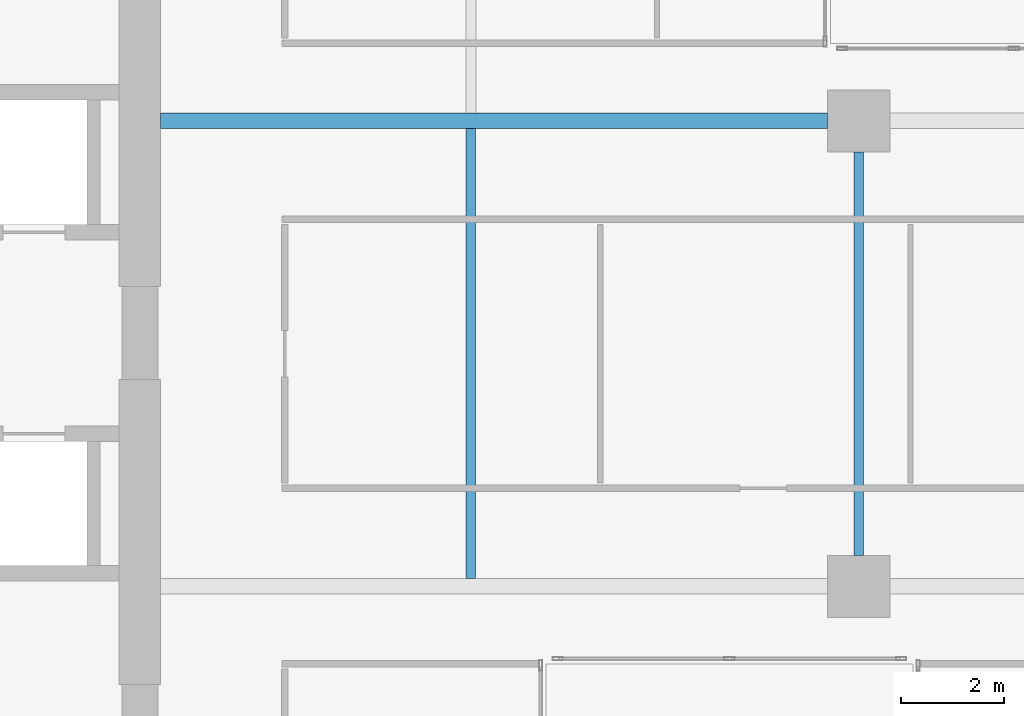
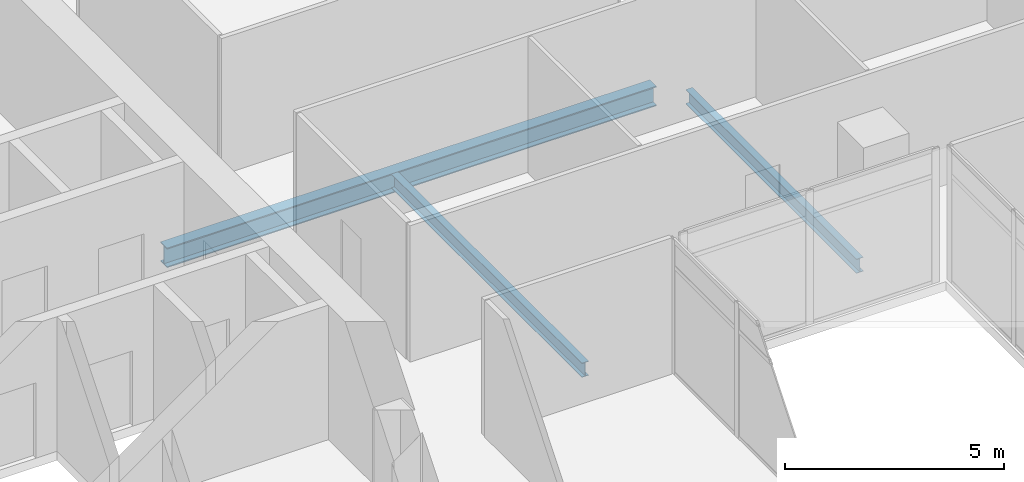
# One storey, part 8 of 40: 3 beams.
"""IFC4 building model written with IfcOpenShell, lengths in metres."""

from ifc_helpers import new_model, si_unit, direction, frame, origin, origin_2d, place, context, subcontext, project, spatial, i_section, extrude, source, transform, mapped, material, material_profile, profile_set, type_object, element, save


model = new_model("IFC4")

# Units and contexts
model_context = context("Model", 3, precision=1e-05, world=origin(), true_north=direction((0.0, 1.0)))
body_context = subcontext(model_context, "Body", "Model", "MODEL_VIEW")
ifc_project = project(units=[si_unit("LENGTHUNIT", "METRE"), si_unit("AREAUNIT", "SQUARE_METRE"), si_unit("VOLUMEUNIT", "CUBIC_METRE"), si_unit("PLANEANGLEUNIT", "RADIAN"), si_unit("MASSUNIT", "GRAM", prefix="KILO")], contexts=[model_context])

# Site, building, storey
site_placement = place(None, origin())
site = spatial("IfcSite", under=ifc_project, at=site_placement, CompositionType="ELEMENT")
building_placement = place(site_placement, origin())
building = spatial("IfcBuilding", under=site, at=building_placement, Name="Khomas Fold Tower", CompositionType="ELEMENT")
storey_placement = place(building_placement, frame((0.0, 0.0, 184.699951171875)))
storey = spatial("IfcBuildingStorey", under=building, at=storey_placement, Name="L40", CompositionType="ELEMENT", Elevation=184.699951171875)

# Beams
ifc_material_1 = material(Name="Steel S355", Category="steel")
ifc_material_profile_1 = material_profile(ifc_material_1, i_section(OverallWidth=0.179931640625, OverallDepth=0.39990234375, WebThickness=0.008544921875, FlangeThickness=0.013427734375, at=origin_2d()), Name="IPE 400")
ifc_profile_set_1 = profile_set([ifc_material_profile_1], Name="Steel S355")
beam_type_1 = type_object("IfcBeamType", Name="IPE 400 beam JB3", PredefinedType="BEAM", material=ifc_profile_set_1)
shared_shape_1 = source(origin(), body_context, "Body", "SweptSolid", [
    extrude(i_section(OverallWidth=0.179931640625, OverallDepth=0.39990234375, WebThickness=0.008544921875, FlangeThickness=0.013427734375, at=origin_2d()), origin(), (0.0, 0.0, 1.0), 8.7001953125),
])
beam_1_placement = place(storey_placement, frame((27.0, 22.64990234375, -0.449951171875), z_axis=(0.0, 1.0, 0.0), x_axis=(-1.0, 0.0, 0.0)))
element("IfcBeam", 1, at=beam_1_placement, inside=storey, type_object=beam_type_1, Name="JB3", PredefinedType="BEAM", context=body_context, shape_type="MappedRepresentation", body=[
    mapped(shared_shape_1, transform((0.0, 0.0, 0.0))),
])
ifc_material_2 = material(Name="Steel S355", Category="steel")
ifc_material_profile_2 = material_profile(ifc_material_2, i_section(OverallWidth=0.300048828125, OverallDepth=0.550048828125, WebThickness=0.014892578125, FlangeThickness=0.029052734375, at=origin_2d()), Name="HE 550 B")
ifc_profile_set_2 = profile_set([ifc_material_profile_2], Name="Steel S355")
beam_type_2 = type_object("IfcBeamType", Name="HE 550 B beam GB4", PredefinedType="BEAM", material=ifc_profile_set_2)
shared_shape_2 = source(origin(), body_context, "Body", "SweptSolid", [
    extrude(i_section(OverallWidth=0.300048828125, OverallDepth=0.550048828125, WebThickness=0.014892578125, FlangeThickness=0.029052734375, at=origin_2d()), origin(), (0.0, 0.0, 1.0), 12.89990234375),
])
beam_2_placement = place(storey_placement, frame((21.0, 31.5, -0.52490234375), z_axis=(1.0, 0.0, 0.0), x_axis=(0.0, 1.0, 0.0)))
element("IfcBeam", 2, at=beam_2_placement, inside=storey, type_object=beam_type_2, Name="GB4", PredefinedType="BEAM", context=body_context, shape_type="MappedRepresentation", body=[
    mapped(shared_shape_2, transform((0.0, 0.0, 0.0))),
])
shared_shape_3 = source(origin(), body_context, "Body", "SweptSolid", [
    extrude(i_section(OverallWidth=0.179931640625, OverallDepth=0.39990234375, WebThickness=0.008544921875, FlangeThickness=0.013427734375, at=origin_2d()), origin(), (0.0, 0.0, 1.0), 7.7998046875),
])
beam_3_placement = place(storey_placement, frame((34.5, 23.10009765625, -0.449951171875), z_axis=(0.0, 1.0, 0.0), x_axis=(-1.0, 0.0, 0.0)))
element("IfcBeam", 3, at=beam_3_placement, inside=storey, type_object=beam_type_1, Name="JB3", PredefinedType="BEAM", context=body_context, shape_type="MappedRepresentation", body=[
    mapped(shared_shape_3, transform((0.0, 0.0, 0.0))),
])

save(model, "model.ifc")
